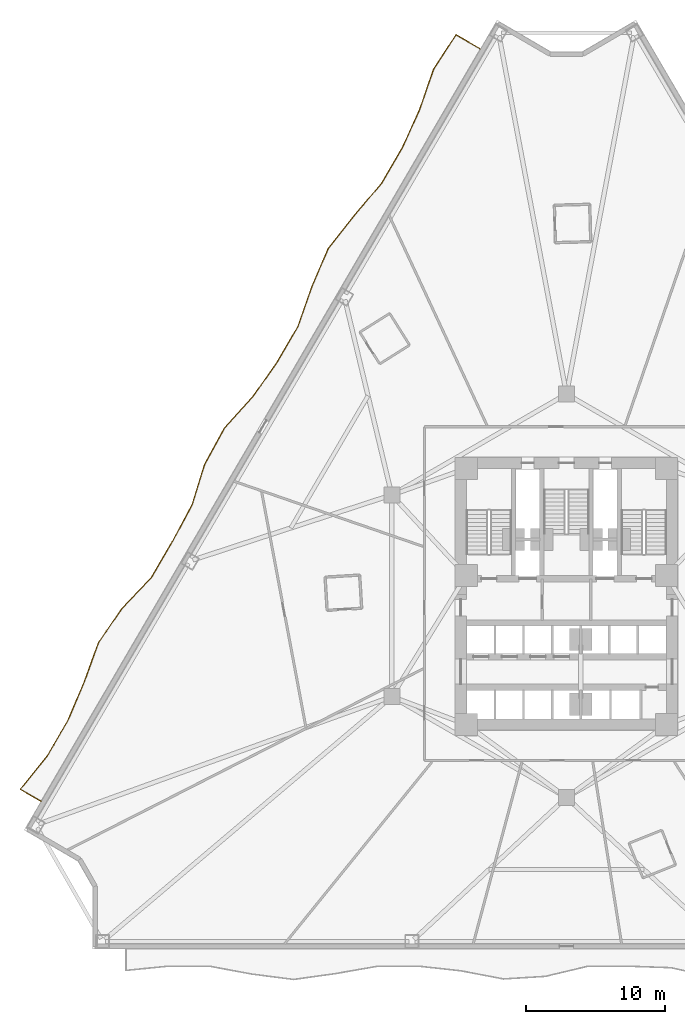
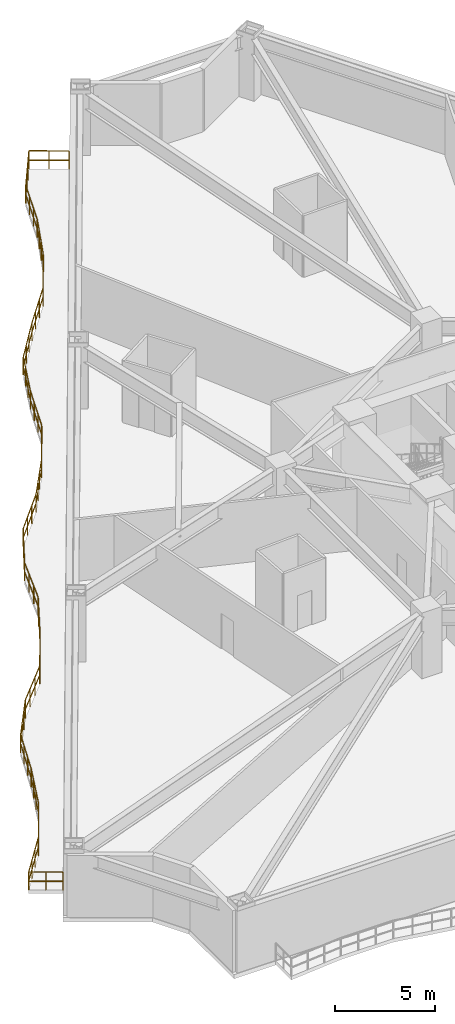
# One storey, part 10 of 11: 1 railing.
"""IFC4 building model written with IfcOpenShell, lengths in metres."""

import ifcopenshell
import ifcopenshell.guid

model = None  # the IFC model being written
_history = None  # IfcOwnerHistory: only IFC2X3 demands one
_inside = {}  # id of a spatial element -> (the spatial element, [elements in it])
_under = {}  # id of a project, library or spatial element -> (it, [spatial elements below it])
_declared = {}  # id of a project -> (the project, [libraries it declares])
_typed = {}  # id of a type object -> (the type object, [elements of that type])
_made_of = {}  # id of a material, layer set ... -> (it, [elements and type objects made of it])


def new_model(schema):
    """Start an empty IFC model of exactly this schema.

    Asked for "IFC4X3", IfcOpenShell would pick the latest addendum, in which some entities
    have other attributes; the version numbers below select the first issue.
    IFC2X3 requires an IfcOwnerHistory on every rooted entity: one is made here for all.
    """
    global model, _history
    if schema == "IFC4X3":
        model = ifcopenshell.file(schema_version=(4, 3, 0, 0))
    else:
        model = ifcopenshell.file(schema=schema)
    _inside.clear()
    _under.clear()
    _declared.clear()
    _typed.clear()
    _made_of.clear()
    _history = None
    if model.schema == "IFC2X3":
        org = make("IfcOrganization", Name="unknown")
        user = make(
            "IfcPersonAndOrganization",
            ThePerson=make("IfcPerson", FamilyName="unknown"),
            TheOrganization=org,
        )
        app = make(
            "IfcApplication",
            ApplicationDeveloper=org,
            Version="unknown",
            ApplicationFullName="unknown",
            ApplicationIdentifier="unknown",
        )
        _history = make(
            "IfcOwnerHistory",
            OwningUser=user,
            OwningApplication=app,
            ChangeAction="ADDED",
            CreationDate=0,
        )
    return model


def make(cls, **values):
    """One entity of the class cls with the attributes given. An attribute that is None is left unset."""
    return model.create_entity(
        cls, **{name: value for name, value in values.items() if value is not None}
    )


def rooted(cls, **values):
    """An entity with a GlobalId (a new one), such as an element, a storey or a relation."""
    return make(cls, GlobalId=ifcopenshell.guid.new(), OwnerHistory=_history, **values)


def si_unit(unit_type, name, prefix=None):
    """IfcSIUnit, for example si_unit("LENGTHUNIT", "METRE", prefix="MILLI")."""
    return make("IfcSIUnit", UnitType=unit_type, Prefix=prefix, Name=name)


def assignment(units):
    """IfcUnitAssignment: the units of a project."""
    return None if units is None else make("IfcUnitAssignment", Units=units)


def point(xyz):
    """IfcCartesianPoint."""
    return None if xyz is None else make("IfcCartesianPoint", Coordinates=xyz)


def direction(xyz):
    """IfcDirection."""
    return None if xyz is None else make("IfcDirection", DirectionRatios=xyz)


def frame(location, z_axis=None, x_axis=None):
    """IfcAxis2Placement3D, a coordinate frame: its origin and axes. An axis left out is left unset."""
    return make(
        "IfcAxis2Placement3D",
        Location=point(location),
        Axis=direction(z_axis),
        RefDirection=direction(x_axis),
    )


def frame_2d(location, x_axis=None):
    """IfcAxis2Placement2D, a coordinate frame in the plane: its origin and x axis."""
    return make(
        "IfcAxis2Placement2D", Location=point(location), RefDirection=direction(x_axis)
    )


def origin():
    """The frame at (0, 0, 0) with its axes left unset."""
    return frame((0.0, 0.0, 0.0))


def origin_2d():
    """The frame at (0, 0) in the plane with its x axis left unset."""
    return frame_2d((0.0, 0.0))


def place(relative_to, where):
    """IfcLocalPlacement: puts the frame where relative to a parent placement (None: the world)."""
    return make(
        "IfcLocalPlacement", PlacementRelTo=relative_to, RelativePlacement=where
    )


def context(
    kind, dimensions, precision=None, world=None, true_north=None, identifier=None
):
    """IfcGeometricRepresentationContext, for example the 3D "Model" context."""
    return make(
        "IfcGeometricRepresentationContext",
        ContextIdentifier=identifier,
        ContextType=kind,
        CoordinateSpaceDimension=dimensions,
        Precision=precision,
        WorldCoordinateSystem=world,
        TrueNorth=true_north,
    )


def subcontext(parent, identifier, kind, view, scale=None):
    """IfcGeometricRepresentationSubContext, for example "Body" below "Model"."""
    return make(
        "IfcGeometricRepresentationSubContext",
        ContextIdentifier=identifier,
        ContextType=kind,
        ParentContext=parent,
        TargetScale=scale,
        TargetView=view,
    )


def project(units=None, contexts=None):
    """IfcProject with its units and contexts."""
    return rooted(
        "IfcProject",
        Name="project",
        RepresentationContexts=contexts,
        UnitsInContext=assignment(units),
    )


def spatial(cls, under=None, at=None, **own):
    """A site, building, storey or space (cls), placed at a placement, below another one or the project."""
    s = rooted(cls, ObjectPlacement=at, **own)
    if under is not None:
        _under.setdefault(under.id(), (under, []))[1].append(s)
    return s


def profile(cls, at=None, kind="AREA", **sizes):
    """A parametric profile (cls). Its sizes go by their IFC names, for example OverallWidth=200.0."""
    return make(cls, ProfileType=kind, Position=at, **sizes)


def rectangle(**sizes):
    """IfcRectangleProfileDef."""
    return profile("IfcRectangleProfileDef", **sizes)


def extrude(swept, where, along, depth):
    """IfcExtrudedAreaSolid: the profile swept, set in the frame where, extruded along a direction by depth."""
    return make(
        "IfcExtrudedAreaSolid",
        SweptArea=swept,
        Position=where,
        ExtrudedDirection=direction(along),
        Depth=depth,
    )


def shape(context_of_items, identifier, shape_type, items):
    """IfcShapeRepresentation: the items that make up one representation, for example the "Body"."""
    return make(
        "IfcShapeRepresentation",
        ContextOfItems=context_of_items,
        RepresentationIdentifier=identifier,
        RepresentationType=shape_type,
        Items=items,
    )


def material(Name=None, Category=None):
    """IfcMaterial."""
    return make("IfcMaterial", Name=Name, Category=Category)


def made_of(thing, what):
    """Note that an element or type object is made of a material, layer set ...; save() writes the relation."""
    if what is not None:
        _made_of.setdefault(what.id(), (what, []))[1].append(thing)
    return thing


def type_object(cls, material=None, **own):
    """A type object (cls), such as IfcWallType, which elements share."""
    return made_of(rooted(cls, **own), material)


def element(
    cls,
    number,
    at=None,
    inside=None,
    cuts=None,
    type_object=None,
    material=None,
    context=None,
    identifier="Body",
    shape_type=None,
    held_by="IfcProductDefinitionShape",
    body=None,
    shapes=None,
    **own,
):
    """One element of the class cls, such as IfcWall. Its Tag is "e" and its number.

    at: its placement. inside: the storey or other place that contains it. cuts: it is an
    opening in that element (IfcRelVoidsElement). A single representation is given by context,
    identifier, shape_type and body (its items); several are given by shapes. held_by: the class
    of the entity that holds the representations. save() writes the other relations.
    """
    e = rooted(cls, Tag="e%d" % number, ObjectPlacement=at, **own)
    if body is not None:
        shapes = [shape(context, identifier, shape_type, body)]
    if shapes is not None:
        e.Representation = make(held_by, Representations=shapes)
    if inside is not None:
        _inside.setdefault(inside.id(), (inside, []))[1].append(e)
    if cuts is not None:
        rooted(
            "IfcRelVoidsElement", RelatingBuildingElement=cuts, RelatedOpeningElement=e
        )
    if type_object is not None:
        _typed.setdefault(type_object.id(), (type_object, []))[1].append(e)
    return made_of(e, material)


def aggregate(whole, parts):
    """IfcRelAggregates: a whole, such as a stair, and the parts it consists of."""
    return rooted("IfcRelAggregates", RelatingObject=whole, RelatedObjects=parts)


def save(model, path):
    """Write the relations noted so far, then the file.

    IfcRelAggregates (storeys below a building ...), IfcRelContainedInSpatialStructure (elements
    in a storey), IfcRelDefinesByType, IfcRelAssociatesMaterial and IfcRelDeclares: one each for
    every whole, place, type object, material and project.
    """
    for whole, parts in _under.values():
        aggregate(whole, parts)
    for where, things in _inside.values():
        rooted(
            "IfcRelContainedInSpatialStructure",
            RelatedElements=things,
            RelatingStructure=where,
        )
    for kind, things in _typed.values():
        rooted("IfcRelDefinesByType", RelatedObjects=things, RelatingType=kind)
    for what, things in _made_of.values():
        rooted("IfcRelAssociatesMaterial", RelatedObjects=things, RelatingMaterial=what)
    for by, libraries in _declared.values():
        rooted("IfcRelDeclares", RelatingContext=by, RelatedDefinitions=libraries)
    model.write(path)


model = new_model("IFC4")

# Units and contexts
model_context = context("Model", 3, precision=1e-05, world=origin(), true_north=direction((0.0, 1.0)))
body_context = subcontext(model_context, "Body", "Model", "MODEL_VIEW")
ifc_project = project(units=[si_unit("LENGTHUNIT", "METRE"), si_unit("AREAUNIT", "SQUARE_METRE"), si_unit("VOLUMEUNIT", "CUBIC_METRE"), si_unit("PLANEANGLEUNIT", "RADIAN"), si_unit("MASSUNIT", "GRAM", prefix="KILO")], contexts=[model_context])

# Site, building, storey
site_placement = place(None, origin())
site = spatial("IfcSite", under=ifc_project, at=site_placement, CompositionType="ELEMENT")
building_placement = place(site_placement, origin())
building = spatial("IfcBuilding", under=site, at=building_placement, Name="Apsidion Concourse Tower", CompositionType="ELEMENT")
storey_placement = place(building_placement, frame((0.0, 0.0, 46.39990234375)))
storey = spatial("IfcBuildingStorey", under=building, at=storey_placement, Name="L09", CompositionType="ELEMENT", Elevation=46.39990234375)

# Railing
ifc_material = material(Name="Brushed stainless steel 316", Category="steel")
railing_type = type_object("IfcRailingType", Name="RL-BAL-1120", PredefinedType="BALUSTRADE", material=ifc_material)
railing_placement = place(storey_placement, frame((-37.789306640625, -14.772705078125, 0.0)))
element("IfcRailing", 1, at=railing_placement, inside=storey, type_object=railing_type, Name="L09 Face 1 Rippling Balcony Balustrade", PredefinedType="BALUSTRADE", context=body_context, shape_type="SweptSolid", body=[
    extrude(rectangle(XDim=0.048095703125, YDim=0.048095703125, at=origin_2d()), frame((0.0, 0.0, 1.09619140625), z_axis=(-0.863597791958, 0.504181369871, 0.0), x_axis=(-0.504181369871, -0.863597791958, 0.0)), (0.0, 0.0, 1.0), 1.711669921875),
    extrude(rectangle(XDim=0.048095703125, YDim=0.048095703125, at=origin_2d()), frame((0.0, 0.0, 0.5361328125), z_axis=(-0.863597791958, 0.504181369871, 0.0), x_axis=(-0.504181369871, -0.863597791958, 0.0)), (0.0, 0.0, 1.0), 1.711669921875),
    extrude(rectangle(XDim=0.048095703125, YDim=0.048095703125, at=origin_2d()), frame((-1.478271484375, 0.863037109375, 1.09619140625), z_axis=(0.630419039259, 0.776255006386, 0.0), x_axis=(-0.776255006386, 0.630419039259, 0.0)), (0.0, 0.0, 1.0), 3.018310546875),
    extrude(rectangle(XDim=0.048095703125, YDim=0.048095703125, at=origin_2d()), frame((-1.478271484375, 0.863037109375, 0.5361328125), z_axis=(0.630419039259, 0.776255006386, 0.0), x_axis=(-0.776255006386, 0.630419039259, 0.0)), (0.0, 0.0, 1.0), 3.018310546875),
    extrude(rectangle(XDim=0.048095703125, YDim=0.048095703125, at=origin_2d()), frame((0.424560546875, 3.2060546875, 1.09619140625), z_axis=(0.504217003444, 0.863576987557, 0.0), x_axis=(-0.863576987557, 0.504217003444, 0.0)), (0.0, 0.0, 1.0), 2.983154296875),
    extrude(rectangle(XDim=0.048095703125, YDim=0.048095703125, at=origin_2d()), frame((0.424560546875, 3.2060546875, 0.5361328125), z_axis=(0.504217003444, 0.863576987557, 0.0), x_axis=(-0.863576987557, 0.504217003444, 0.0)), (0.0, 0.0, 1.0), 2.983154296875),
    extrude(rectangle(XDim=0.048095703125, YDim=0.048095703125, at=origin_2d()), frame((1.9287109375, 5.7822265625, 1.09619140625), z_axis=(0.391546387384, 0.920158370351, 0.0), x_axis=(-0.920158370351, 0.391546387384, 0.0)), (0.0, 0.0, 1.0), 3.006591796875),
    extrude(rectangle(XDim=0.048095703125, YDim=0.048095703125, at=origin_2d()), frame((1.9287109375, 5.7822265625, 0.5361328125), z_axis=(0.391546387384, 0.920158370351, 0.0), x_axis=(-0.920158370351, 0.391546387384, 0.0)), (0.0, 0.0, 1.0), 3.006591796875),
    extrude(rectangle(XDim=0.048095703125, YDim=0.048095703125, at=origin_2d()), frame((3.10595703125, 8.548828125, 1.09619140625), z_axis=(0.340301182517, 0.940316492027, 0.0), x_axis=(-0.940316492027, 0.340301182517, 0.0)), (0.0, 0.0, 1.0), 3.032470703125),
    extrude(rectangle(XDim=0.048095703125, YDim=0.048095703125, at=origin_2d()), frame((3.10595703125, 8.548828125, 0.5361328125), z_axis=(0.340301182517, 0.940316492027, 0.0), x_axis=(-0.940316492027, 0.340301182517, 0.0)), (0.0, 0.0, 1.0), 3.032470703125),
    extrude(rectangle(XDim=0.048095703125, YDim=0.048095703125, at=origin_2d()), frame((4.137939453125, 11.400390625, 1.09619140625), z_axis=(0.565596565335, 0.824682075276, 0.0), x_axis=(-0.824682075276, 0.565596565335, 0.0)), (0.0, 0.0, 1.0), 2.990966796875),
    extrude(rectangle(XDim=0.048095703125, YDim=0.048095703125, at=origin_2d()), frame((4.137939453125, 11.400390625, 0.5361328125), z_axis=(0.565596565335, 0.824682075276, 0.0), x_axis=(-0.824682075276, 0.565596565335, 0.0)), (0.0, 0.0, 1.0), 2.990966796875),
    extrude(rectangle(XDim=0.048095703125, YDim=0.048095703125, at=origin_2d()), frame((5.82958984375, 13.866943359375, 1.09619140625), z_axis=(0.68998122889, 0.723827261009, 0.0), x_axis=(-0.723827261009, 0.68998122889, 0.0)), (0.0, 0.0, 1.0), 3.065673828125),
    extrude(rectangle(XDim=0.048095703125, YDim=0.048095703125, at=origin_2d()), frame((5.82958984375, 13.866943359375, 0.5361328125), z_axis=(0.68998122889, 0.723827261009, 0.0), x_axis=(-0.723827261009, 0.68998122889, 0.0)), (0.0, 0.0, 1.0), 3.065673828125),
    extrude(rectangle(XDim=0.048095703125, YDim=0.048095703125, at=origin_2d()), frame((7.94482421875, 16.0859375, 1.09619140625), z_axis=(0.504155966148, 0.863612622532, 0.0), x_axis=(-0.863612622532, 0.504155966148, 0.0)), (0.0, 0.0, 1.0), 2.98291015625),
    extrude(rectangle(XDim=0.048095703125, YDim=0.048095703125, at=origin_2d()), frame((7.94482421875, 16.0859375, 0.5361328125), z_axis=(0.504155966148, 0.863612622532, 0.0), x_axis=(-0.863612622532, 0.504155966148, 0.0)), (0.0, 0.0, 1.0), 2.98291015625),
    extrude(rectangle(XDim=0.048095703125, YDim=0.048095703125, at=origin_2d()), frame((9.44873046875, 18.662109375, 1.09619140625), z_axis=(0.473680283631, 0.880696876853, 0.0), x_axis=(-0.880696876853, 0.473680283631, 0.0)), (0.0, 0.0, 1.0), 2.98486328125),
    extrude(rectangle(XDim=0.048095703125, YDim=0.048095703125, at=origin_2d()), frame((9.44873046875, 18.662109375, 0.5361328125), z_axis=(0.473680283631, 0.880696876853, 0.0), x_axis=(-0.880696876853, 0.473680283631, 0.0)), (0.0, 0.0, 1.0), 2.98486328125),
    extrude(rectangle(XDim=0.048095703125, YDim=0.048095703125, at=origin_2d()), frame((10.862548828125, 21.290771484375, 1.09619140625), z_axis=(0.296399214872, 0.955064136811, 0.0), x_axis=(-0.955064136811, 0.296399214872, 0.0)), (0.0, 0.0, 1.0), 3.061767578125),
    extrude(rectangle(XDim=0.048095703125, YDim=0.048095703125, at=origin_2d()), frame((10.862548828125, 21.290771484375, 0.5361328125), z_axis=(0.296399214872, 0.955064136811, 0.0), x_axis=(-0.955064136811, 0.296399214872, 0.0)), (0.0, 0.0, 1.0), 3.061767578125),
    extrude(rectangle(XDim=0.048095703125, YDim=0.048095703125, at=origin_2d()), frame((11.77001953125, 24.21484375, 1.09619140625), z_axis=(0.479253323083, 0.87767662172, 0.0), x_axis=(-0.87767662172, 0.479253323083, 0.0)), (0.0, 0.0, 1.0), 2.984130859375),
    extrude(rectangle(XDim=0.048095703125, YDim=0.048095703125, at=origin_2d()), frame((11.77001953125, 24.21484375, 0.5361328125), z_axis=(0.479253323083, 0.87767662172, 0.0), x_axis=(-0.87767662172, 0.479253323083, 0.0)), (0.0, 0.0, 1.0), 2.984130859375),
    extrude(rectangle(XDim=0.048095703125, YDim=0.048095703125, at=origin_2d()), frame((13.2001953125, 26.833984375, 1.09619140625), z_axis=(0.670432828428, 0.741970230243, 0.0), x_axis=(-0.741970230243, 0.670432828428, 0.0)), (0.0, 0.0, 1.0), 3.047607421875),
    extrude(rectangle(XDim=0.048095703125, YDim=0.048095703125, at=origin_2d()), frame((13.2001953125, 26.833984375, 0.5361328125), z_axis=(0.670432828428, 0.741970230243, 0.0), x_axis=(-0.741970230243, 0.670432828428, 0.0)), (0.0, 0.0, 1.0), 3.047607421875),
    extrude(rectangle(XDim=0.048095703125, YDim=0.048095703125, at=origin_2d()), frame((15.243408203125, 29.09521484375, 1.09619140625), z_axis=(0.576282933366, 0.817250255865, 0.0), x_axis=(-0.817250255865, 0.576282933366, 0.0)), (0.0, 0.0, 1.0), 2.993896484375),
    extrude(rectangle(XDim=0.048095703125, YDim=0.048095703125, at=origin_2d()), frame((15.243408203125, 29.09521484375, 0.5361328125), z_axis=(0.576282933366, 0.817250255865, 0.0), x_axis=(-0.817250255865, 0.576282933366, 0.0)), (0.0, 0.0, 1.0), 2.993896484375),
    extrude(rectangle(XDim=0.048095703125, YDim=0.048095703125, at=origin_2d()), frame((16.96875, 31.5419921875, 1.09619140625), z_axis=(0.504252641195, 0.863556178745, 0.0), x_axis=(-0.863556178745, 0.504252641195, 0.0)), (0.0, 0.0, 1.0), 2.98291015625),
    extrude(rectangle(XDim=0.048095703125, YDim=0.048095703125, at=origin_2d()), frame((16.96875, 31.5419921875, 0.5361328125), z_axis=(0.504252641195, 0.863556178745, 0.0), x_axis=(-0.863556178745, 0.504252641195, 0.0)), (0.0, 0.0, 1.0), 2.98291015625),
    extrude(rectangle(XDim=0.048095703125, YDim=0.048095703125, at=origin_2d()), frame((18.472900390625, 34.117919921875, 1.09619140625), z_axis=(0.33115926216, 0.943574874128, 0.0), x_axis=(-0.943574874128, 0.33115926216, 0.0)), (0.0, 0.0, 1.0), 3.0380859375),
    extrude(rectangle(XDim=0.048095703125, YDim=0.048095703125, at=origin_2d()), frame((18.472900390625, 34.117919921875, 0.5361328125), z_axis=(0.33115926216, 0.943574874128, 0.0), x_axis=(-0.943574874128, 0.33115926216, 0.0)), (0.0, 0.0, 1.0), 3.0380859375),
    extrude(rectangle(XDim=0.048095703125, YDim=0.048095703125, at=origin_2d()), frame((19.47900390625, 36.984619140625, 1.09619140625), z_axis=(0.393174208129, 0.919463997154, 0.0), x_axis=(-0.919463997154, 0.393174208129, 0.0)), (0.0, 0.0, 1.0), 3.006103515625),
    extrude(rectangle(XDim=0.048095703125, YDim=0.048095703125, at=origin_2d()), frame((19.47900390625, 36.984619140625, 0.5361328125), z_axis=(0.393174208129, 0.919463997154, 0.0), x_axis=(-0.919463997154, 0.393174208129, 0.0)), (0.0, 0.0, 1.0), 3.006103515625),
    extrude(rectangle(XDim=0.048095703125, YDim=0.048095703125, at=origin_2d()), frame((20.660888671875, 39.74853515625, 1.09619140625), z_axis=(0.619959549598, 0.784633772446, 0.0), x_axis=(-0.784633772446, 0.619959549598, 0.0)), (0.0, 0.0, 1.0), 3.0126953125),
    extrude(rectangle(XDim=0.048095703125, YDim=0.048095703125, at=origin_2d()), frame((20.660888671875, 39.74853515625, 0.5361328125), z_axis=(0.619959549598, 0.784633772446, 0.0), x_axis=(-0.784633772446, 0.619959549598, 0.0)), (0.0, 0.0, 1.0), 3.0126953125),
    extrude(rectangle(XDim=0.048095703125, YDim=0.048095703125, at=origin_2d()), frame((22.528564453125, 42.1123046875, 1.09619140625), z_axis=(0.64713362248, 0.762376596346, 0.0), x_axis=(-0.762376596346, 0.64713362248, 0.0)), (0.0, 0.0, 1.0), 3.029541015625),
    extrude(rectangle(XDim=0.048095703125, YDim=0.048095703125, at=origin_2d()), frame((22.528564453125, 42.1123046875, 0.5361328125), z_axis=(0.64713362248, 0.762376596346, 0.0), x_axis=(-0.762376596346, 0.64713362248, 0.0)), (0.0, 0.0, 1.0), 3.029541015625),
    extrude(rectangle(XDim=0.048095703125, YDim=0.048095703125, at=origin_2d()), frame((24.489013671875, 44.421875, 1.09619140625), z_axis=(0.504191602526, 0.863591817899, 0.0), x_axis=(-0.863591817899, 0.504191602526, 0.0)), (0.0, 0.0, 1.0), 2.98291015625),
    extrude(rectangle(XDim=0.048095703125, YDim=0.048095703125, at=origin_2d()), frame((24.489013671875, 44.421875, 0.5361328125), z_axis=(0.504191602526, 0.863591817899, 0.0), x_axis=(-0.863591817899, 0.504191602526, 0.0)), (0.0, 0.0, 1.0), 2.98291015625),
    extrude(rectangle(XDim=0.048095703125, YDim=0.048095703125, at=origin_2d()), frame((25.992919921875, 46.997802734375, 1.09619140625), z_axis=(0.412661779407, 0.910884326255, 0.0), x_axis=(-0.910884326255, 0.412661779407, 0.0)), (0.0, 0.0, 1.0), 2.9990234375),
    extrude(rectangle(XDim=0.048095703125, YDim=0.048095703125, at=origin_2d()), frame((25.992919921875, 46.997802734375, 0.5361328125), z_axis=(0.412661779407, 0.910884326255, 0.0), x_axis=(-0.910884326255, 0.412661779407, 0.0)), (0.0, 0.0, 1.0), 2.9990234375),
    extrude(rectangle(XDim=0.048095703125, YDim=0.048095703125, at=origin_2d()), frame((27.23046875, 49.7294921875, 1.09619140625), z_axis=(0.325988209446, 0.945373834682, 0.0), x_axis=(-0.945373834682, 0.325988209446, 0.0)), (0.0, 0.0, 1.0), 3.04150390625),
    extrude(rectangle(XDim=0.048095703125, YDim=0.048095703125, at=origin_2d()), frame((27.23046875, 49.7294921875, 0.5361328125), z_axis=(0.325988209446, 0.945373834682, 0.0), x_axis=(-0.945373834682, 0.325988209446, 0.0)), (0.0, 0.0, 1.0), 3.04150390625),
    extrude(rectangle(XDim=0.048095703125, YDim=0.048095703125, at=origin_2d()), frame((28.221923828125, 52.604736328125, 1.09619140625), z_axis=(0.544870531798, 0.838520186745, 0.0), x_axis=(-0.838520186745, 0.544870531798, 0.0)), (0.0, 0.0, 1.0), 2.986328125),
    extrude(rectangle(XDim=0.048095703125, YDim=0.048095703125, at=origin_2d()), frame((28.221923828125, 52.604736328125, 0.5361328125), z_axis=(0.544870531798, 0.838520186745, 0.0), x_axis=(-0.838520186745, 0.544870531798, 0.0)), (0.0, 0.0, 1.0), 2.986328125),
    extrude(rectangle(XDim=0.048095703125, YDim=0.048095703125, at=origin_2d()), frame((29.84912109375, 55.10888671875, 1.09619140625), z_axis=(0.863532045826, -0.504293967673, 0.0), x_axis=(0.504293967673, 0.863532045826, 0.0)), (0.0, 0.0, 1.0), 2.009521484375),
    extrude(rectangle(XDim=0.048095703125, YDim=0.048095703125, at=origin_2d()), frame((29.84912109375, 55.10888671875, 0.5361328125), z_axis=(0.863532045826, -0.504293967673, 0.0), x_axis=(0.504293967673, 0.863532045826, 0.0)), (0.0, 0.0, 1.0), 2.009521484375),
    extrude(rectangle(XDim=0.0419921875, YDim=0.0419921875, at=origin_2d()), origin(), (0.0, 0.0, 1.0), 1.072021484375),
    extrude(rectangle(XDim=0.0419921875, YDim=0.0419921875, at=origin_2d()), frame((-0.7392578125, 0.431640625, 0.0)), (0.0, 0.0, 1.0), 1.072021484375),
    extrude(rectangle(XDim=0.0419921875, YDim=0.0419921875, at=origin_2d()), frame((-1.478271484375, 0.863037109375, 0.0)), (0.0, 0.0, 1.0), 1.072021484375),
    extrude(rectangle(XDim=0.0419921875, YDim=0.0419921875, at=origin_2d()), frame((-0.843994140625, 1.64404296875, 0.0)), (0.0, 0.0, 1.0), 1.072021484375),
    extrude(rectangle(XDim=0.0419921875, YDim=0.0419921875, at=origin_2d()), frame((-0.209716796875, 2.425048828125, 0.0)), (0.0, 0.0, 1.0), 1.072021484375),
    extrude(rectangle(XDim=0.0419921875, YDim=0.0419921875, at=origin_2d()), frame((0.424560546875, 3.2060546875, 0.0)), (0.0, 0.0, 1.0), 1.072021484375),
    extrude(rectangle(XDim=0.0419921875, YDim=0.0419921875, at=origin_2d()), frame((0.926025390625, 4.064697265625, 0.0)), (0.0, 0.0, 1.0), 1.072021484375),
    extrude(rectangle(XDim=0.0419921875, YDim=0.0419921875, at=origin_2d()), frame((1.42724609375, 4.923583984375, 0.0)), (0.0, 0.0, 1.0), 1.072021484375),
    extrude(rectangle(XDim=0.0419921875, YDim=0.0419921875, at=origin_2d()), frame((1.9287109375, 5.7822265625, 0.0)), (0.0, 0.0, 1.0), 1.072021484375),
    extrude(rectangle(XDim=0.0419921875, YDim=0.0419921875, at=origin_2d()), frame((2.321044921875, 6.704345703125, 0.0)), (0.0, 0.0, 1.0), 1.072021484375),
    extrude(rectangle(XDim=0.0419921875, YDim=0.0419921875, at=origin_2d()), frame((2.713623046875, 7.626708984375, 0.0)), (0.0, 0.0, 1.0), 1.072021484375),
    extrude(rectangle(XDim=0.0419921875, YDim=0.0419921875, at=origin_2d()), frame((3.10595703125, 8.548828125, 0.0)), (0.0, 0.0, 1.0), 1.072021484375),
    extrude(rectangle(XDim=0.0419921875, YDim=0.0419921875, at=origin_2d()), frame((3.449951171875, 9.499267578125, 0.0)), (0.0, 0.0, 1.0), 1.072021484375),
    extrude(rectangle(XDim=0.0419921875, YDim=0.0419921875, at=origin_2d()), frame((3.7939453125, 10.449951171875, 0.0)), (0.0, 0.0, 1.0), 1.072021484375),
    extrude(rectangle(XDim=0.0419921875, YDim=0.0419921875, at=origin_2d()), frame((4.137939453125, 11.400390625, 0.0)), (0.0, 0.0, 1.0), 1.072021484375),
    extrude(rectangle(XDim=0.0419921875, YDim=0.0419921875, at=origin_2d()), frame((4.701904296875, 12.22265625, 0.0)), (0.0, 0.0, 1.0), 1.072021484375),
    extrude(rectangle(XDim=0.0419921875, YDim=0.0419921875, at=origin_2d()), frame((5.265625, 13.044677734375, 0.0)), (0.0, 0.0, 1.0), 1.072021484375),
    extrude(rectangle(XDim=0.0419921875, YDim=0.0419921875, at=origin_2d()), frame((5.82958984375, 13.866943359375, 0.0)), (0.0, 0.0, 1.0), 1.072021484375),
    extrude(rectangle(XDim=0.0419921875, YDim=0.0419921875, at=origin_2d()), frame((6.53466796875, 14.606689453125, 0.0)), (0.0, 0.0, 1.0), 1.072021484375),
    extrude(rectangle(XDim=0.0419921875, YDim=0.0419921875, at=origin_2d()), frame((7.23974609375, 15.34619140625, 0.0)), (0.0, 0.0, 1.0), 1.072021484375),
    extrude(rectangle(XDim=0.0419921875, YDim=0.0419921875, at=origin_2d()), frame((7.94482421875, 16.0859375, 0.0)), (0.0, 0.0, 1.0), 1.072021484375),
    extrude(rectangle(XDim=0.0419921875, YDim=0.0419921875, at=origin_2d()), frame((8.446044921875, 16.944580078125, 0.0)), (0.0, 0.0, 1.0), 1.072021484375),
    extrude(rectangle(XDim=0.0419921875, YDim=0.0419921875, at=origin_2d()), frame((8.947509765625, 17.803466796875, 0.0)), (0.0, 0.0, 1.0), 1.072021484375),
    extrude(rectangle(XDim=0.0419921875, YDim=0.0419921875, at=origin_2d()), frame((9.44873046875, 18.662109375, 0.0)), (0.0, 0.0, 1.0), 1.072021484375),
    extrude(rectangle(XDim=0.0419921875, YDim=0.0419921875, at=origin_2d()), frame((9.919921875, 19.538330078125, 0.0)), (0.0, 0.0, 1.0), 1.072021484375),
    extrude(rectangle(XDim=0.0419921875, YDim=0.0419921875, at=origin_2d()), frame((10.391357421875, 20.41455078125, 0.0)), (0.0, 0.0, 1.0), 1.072021484375),
    extrude(rectangle(XDim=0.0419921875, YDim=0.0419921875, at=origin_2d()), frame((10.862548828125, 21.290771484375, 0.0)), (0.0, 0.0, 1.0), 1.072021484375),
    extrude(rectangle(XDim=0.0419921875, YDim=0.0419921875, at=origin_2d()), frame((11.1650390625, 22.265380859375, 0.0)), (0.0, 0.0, 1.0), 1.072021484375),
    extrude(rectangle(XDim=0.0419921875, YDim=0.0419921875, at=origin_2d()), frame((11.467529296875, 23.240234375, 0.0)), (0.0, 0.0, 1.0), 1.072021484375),
    extrude(rectangle(XDim=0.0419921875, YDim=0.0419921875, at=origin_2d()), frame((11.77001953125, 24.21484375, 0.0)), (0.0, 0.0, 1.0), 1.072021484375),
    extrude(rectangle(XDim=0.0419921875, YDim=0.0419921875, at=origin_2d()), frame((12.246826171875, 25.087890625, 0.0)), (0.0, 0.0, 1.0), 1.072021484375),
    extrude(rectangle(XDim=0.0419921875, YDim=0.0419921875, at=origin_2d()), frame((12.723388671875, 25.9609375, 0.0)), (0.0, 0.0, 1.0), 1.072021484375),
    extrude(rectangle(XDim=0.0419921875, YDim=0.0419921875, at=origin_2d()), frame((13.2001953125, 26.833984375, 0.0)), (0.0, 0.0, 1.0), 1.072021484375),
    extrude(rectangle(XDim=0.0419921875, YDim=0.0419921875, at=origin_2d()), frame((13.88134765625, 27.587646484375, 0.0)), (0.0, 0.0, 1.0), 1.072021484375),
    extrude(rectangle(XDim=0.0419921875, YDim=0.0419921875, at=origin_2d()), frame((14.562255859375, 28.341552734375, 0.0)), (0.0, 0.0, 1.0), 1.072021484375),
    extrude(rectangle(XDim=0.0419921875, YDim=0.0419921875, at=origin_2d()), frame((15.243408203125, 29.09521484375, 0.0)), (0.0, 0.0, 1.0), 1.072021484375),
    extrude(rectangle(XDim=0.0419921875, YDim=0.0419921875, at=origin_2d()), frame((15.818603515625, 29.910888671875, 0.0)), (0.0, 0.0, 1.0), 1.072021484375),
    extrude(rectangle(XDim=0.0419921875, YDim=0.0419921875, at=origin_2d()), frame((16.3935546875, 30.726318359375, 0.0)), (0.0, 0.0, 1.0), 1.072021484375),
    extrude(rectangle(XDim=0.0419921875, YDim=0.0419921875, at=origin_2d()), frame((16.96875, 31.5419921875, 0.0)), (0.0, 0.0, 1.0), 1.072021484375),
    extrude(rectangle(XDim=0.0419921875, YDim=0.0419921875, at=origin_2d()), frame((17.47021484375, 32.400634765625, 0.0)), (0.0, 0.0, 1.0), 1.072021484375),
    extrude(rectangle(XDim=0.0419921875, YDim=0.0419921875, at=origin_2d()), frame((17.971435546875, 33.25927734375, 0.0)), (0.0, 0.0, 1.0), 1.072021484375),
    extrude(rectangle(XDim=0.0419921875, YDim=0.0419921875, at=origin_2d()), frame((18.472900390625, 34.117919921875, 0.0)), (0.0, 0.0, 1.0), 1.072021484375),
    extrude(rectangle(XDim=0.0419921875, YDim=0.0419921875, at=origin_2d()), frame((18.808349609375, 35.073486328125, 0.0)), (0.0, 0.0, 1.0), 1.072021484375),
    extrude(rectangle(XDim=0.0419921875, YDim=0.0419921875, at=origin_2d()), frame((19.1435546875, 36.029052734375, 0.0)), (0.0, 0.0, 1.0), 1.072021484375),
    extrude(rectangle(XDim=0.0419921875, YDim=0.0419921875, at=origin_2d()), frame((19.47900390625, 36.984619140625, 0.0)), (0.0, 0.0, 1.0), 1.072021484375),
    extrude(rectangle(XDim=0.0419921875, YDim=0.0419921875, at=origin_2d()), frame((19.873046875, 37.906005859375, 0.0)), (0.0, 0.0, 1.0), 1.072021484375),
    extrude(rectangle(XDim=0.0419921875, YDim=0.0419921875, at=origin_2d()), frame((20.266845703125, 38.8271484375, 0.0)), (0.0, 0.0, 1.0), 1.072021484375),
    extrude(rectangle(XDim=0.0419921875, YDim=0.0419921875, at=origin_2d()), frame((20.660888671875, 39.74853515625, 0.0)), (0.0, 0.0, 1.0), 1.072021484375),
    extrude(rectangle(XDim=0.0419921875, YDim=0.0419921875, at=origin_2d()), frame((21.283447265625, 40.536376953125, 0.0)), (0.0, 0.0, 1.0), 1.072021484375),
    extrude(rectangle(XDim=0.0419921875, YDim=0.0419921875, at=origin_2d()), frame((21.906005859375, 41.324462890625, 0.0)), (0.0, 0.0, 1.0), 1.072021484375),
    extrude(rectangle(XDim=0.0419921875, YDim=0.0419921875, at=origin_2d()), frame((22.528564453125, 42.1123046875, 0.0)), (0.0, 0.0, 1.0), 1.072021484375),
    extrude(rectangle(XDim=0.0419921875, YDim=0.0419921875, at=origin_2d()), frame((23.18212890625, 42.882080078125, 0.0)), (0.0, 0.0, 1.0), 1.072021484375),
    extrude(rectangle(XDim=0.0419921875, YDim=0.0419921875, at=origin_2d()), frame((23.83544921875, 43.652099609375, 0.0)), (0.0, 0.0, 1.0), 1.072021484375),
    extrude(rectangle(XDim=0.0419921875, YDim=0.0419921875, at=origin_2d()), frame((24.489013671875, 44.421875, 0.0)), (0.0, 0.0, 1.0), 1.072021484375),
    extrude(rectangle(XDim=0.0419921875, YDim=0.0419921875, at=origin_2d()), frame((24.990234375, 45.280517578125, 0.0)), (0.0, 0.0, 1.0), 1.072021484375),
    extrude(rectangle(XDim=0.0419921875, YDim=0.0419921875, at=origin_2d()), frame((25.49169921875, 46.13916015625, 0.0)), (0.0, 0.0, 1.0), 1.072021484375),
    extrude(rectangle(XDim=0.0419921875, YDim=0.0419921875, at=origin_2d()), frame((25.992919921875, 46.997802734375, 0.0)), (0.0, 0.0, 1.0), 1.072021484375),
    extrude(rectangle(XDim=0.0419921875, YDim=0.0419921875, at=origin_2d()), frame((26.405517578125, 47.908447265625, 0.0)), (0.0, 0.0, 1.0), 1.072021484375),
    extrude(rectangle(XDim=0.0419921875, YDim=0.0419921875, at=origin_2d()), frame((26.81787109375, 48.81884765625, 0.0)), (0.0, 0.0, 1.0), 1.072021484375),
    extrude(rectangle(XDim=0.0419921875, YDim=0.0419921875, at=origin_2d()), frame((27.23046875, 49.7294921875, 0.0)), (0.0, 0.0, 1.0), 1.072021484375),
    extrude(rectangle(XDim=0.0419921875, YDim=0.0419921875, at=origin_2d()), frame((27.56103515625, 50.68798828125, 0.0)), (0.0, 0.0, 1.0), 1.072021484375),
    extrude(rectangle(XDim=0.0419921875, YDim=0.0419921875, at=origin_2d()), frame((27.891357421875, 51.646240234375, 0.0)), (0.0, 0.0, 1.0), 1.072021484375),
    extrude(rectangle(XDim=0.0419921875, YDim=0.0419921875, at=origin_2d()), frame((28.221923828125, 52.604736328125, 0.0)), (0.0, 0.0, 1.0), 1.072021484375),
    extrude(rectangle(XDim=0.0419921875, YDim=0.0419921875, at=origin_2d()), frame((28.764404296875, 53.439453125, 0.0)), (0.0, 0.0, 1.0), 1.072021484375),
    extrude(rectangle(XDim=0.0419921875, YDim=0.0419921875, at=origin_2d()), frame((29.306640625, 54.274169921875, 0.0)), (0.0, 0.0, 1.0), 1.072021484375),
    extrude(rectangle(XDim=0.0419921875, YDim=0.0419921875, at=origin_2d()), frame((29.84912109375, 55.10888671875, 0.0)), (0.0, 0.0, 1.0), 1.072021484375),
    extrude(rectangle(XDim=0.0419921875, YDim=0.0419921875, at=origin_2d()), frame((30.716796875, 54.60205078125, 0.0)), (0.0, 0.0, 1.0), 1.072021484375),
    extrude(rectangle(XDim=0.0419921875, YDim=0.0419921875, at=origin_2d()), frame((31.58447265625, 54.095458984375, 0.0)), (0.0, 0.0, 1.0), 1.072021484375),
])

save(model, "model.ifc")
